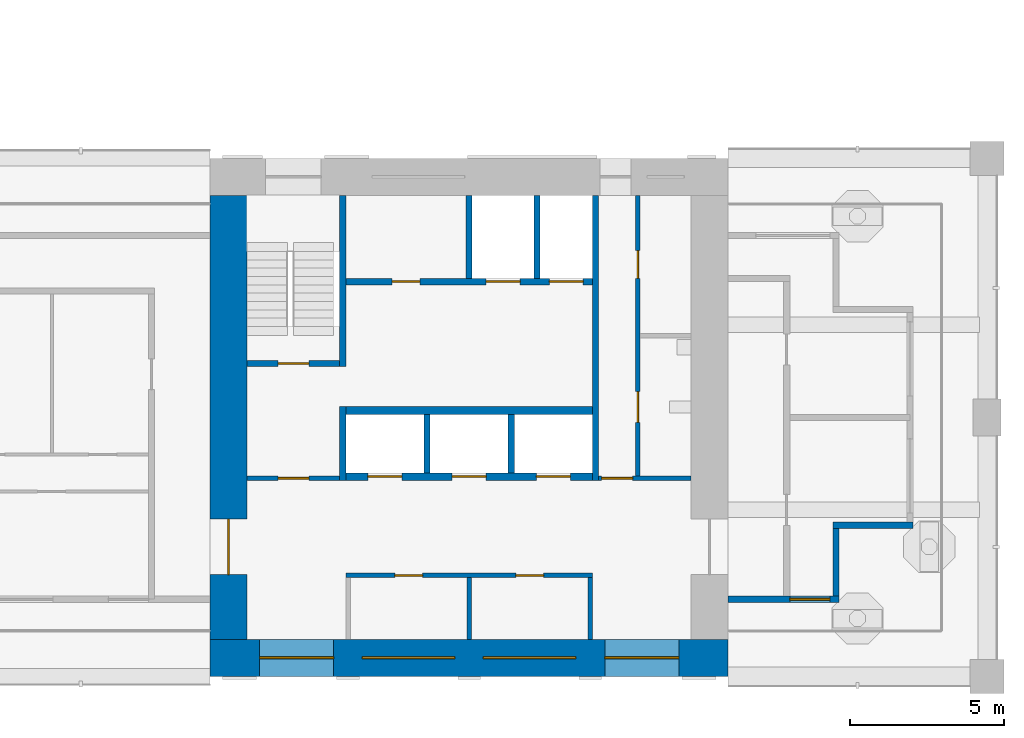
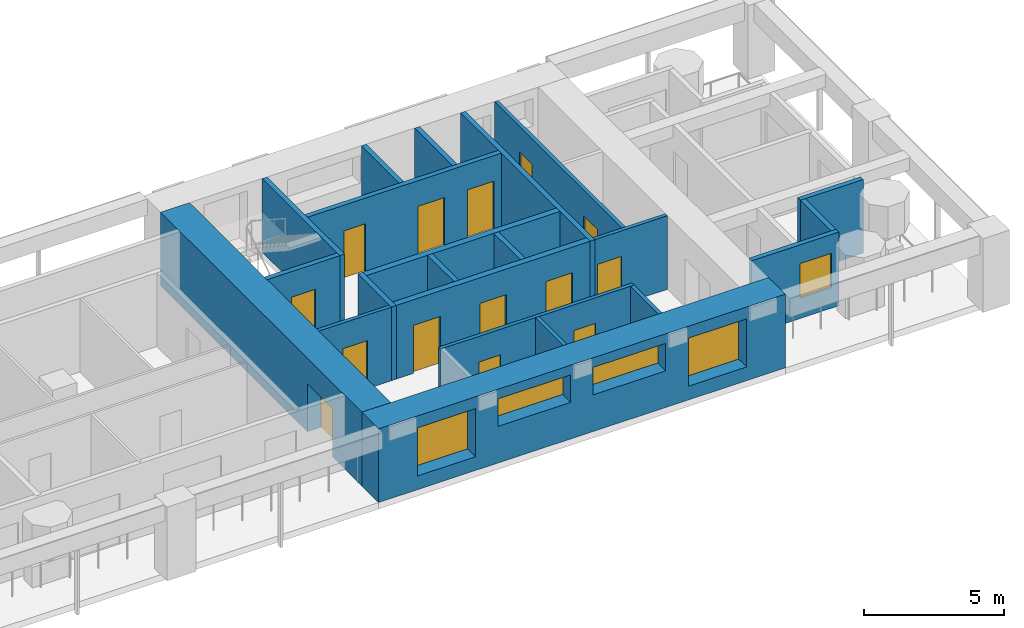
# One storey, part 4 of 13: 22 walls, 14 doors, 5 windows, 19 openings.
"""IFC4 building model written with IfcOpenShell, lengths in metres."""

from ifc_helpers import new_model, si_unit, direction, frame, frame_2d, origin, place, context, subcontext, project, spatial, rectangle, extrude, material, layer, layer_set, type_object, element, fill, save


model = new_model("IFC4")

# Units and contexts
model_context = context("Model", 3, precision=1e-05, world=origin(), true_north=direction((0.0, 1.0)))
body_context = subcontext(model_context, "Body", "Model", "MODEL_VIEW")
ifc_project = project(units=[si_unit("LENGTHUNIT", "METRE"), si_unit("AREAUNIT", "SQUARE_METRE"), si_unit("VOLUMEUNIT", "CUBIC_METRE"), si_unit("PLANEANGLEUNIT", "RADIAN"), si_unit("MASSUNIT", "GRAM", prefix="KILO")], contexts=[model_context])

# Site, building, storey
site_placement = place(None, origin())
site = spatial("IfcSite", under=ifc_project, at=site_placement, CompositionType="ELEMENT")
building_placement = place(site_placement, origin())
building = spatial("IfcBuilding", under=site, at=building_placement, Name="Vermilion Gate Residences", CompositionType="ELEMENT")
storey_placement = place(building_placement, frame((0.0, 0.0, 182.699951171875)))
storey = spatial("IfcBuildingStorey", under=building, at=storey_placement, Name="L47", CompositionType="ELEMENT", Elevation=182.699951171875)

# Walls
ifc_material_1 = material(Name="Masonry blockwork", Category="masonry")
ifc_layer_1 = layer(ifc_material_1, 0.14990234375)
ifc_layer_set_1 = layer_set([ifc_layer_1], Name="BLOCKWORK PARTITION 150 EI 120")
wall_type_1 = type_object("IfcWallType", Name="BLOCKWORK PARTITION 150 EI 120", PredefinedType="PARTITIONING", material=ifc_layer_set_1)
for number, where, z_axis, x_axis, name in (
    (1, (54.324951171875, 9.60009765625, 0.0), (0.0, 0.0, 1.0), (0.0, 1.0, 0.0), "Core room partition A47-RW-E"),
    (2, (50.39990234375, 9.60009765625, 0.0), (0.0, 0.0, 1.0), (0.0, 1.0, 0.0), "Core room partition A47-SR-P0"),
):
    element("IfcWall", number, at=place(storey_placement, frame(where, z_axis=z_axis, x_axis=x_axis)), inside=storey, type_object=wall_type_1, Name=name, PredefinedType="PARTITIONING", context=body_context, shape_type="SweptSolid", body=[
        extrude(rectangle(XDim=2.0, YDim=0.14990234375, at=frame_2d((1.0, 0.0))), origin(), (0.0, 0.0, 1.0), 3.219970703125),
    ])

# Wall, openings, doors
wall_1_placement = place(storey_placement, frame((46.39990234375, 11.675048828125, 0.0), z_axis=(0.0, 0.0, 1.0), x_axis=(1.0, 0.0, 0.0)))
wall_1 = element("IfcWall", 3, at=wall_1_placement, inside=storey, type_object=wall_type_1, Name="Core room partition A47-LR-F", PredefinedType="PARTITIONING", context=body_context, shape_type="SweptSolid", body=[
    extrude(rectangle(XDim=8.0, YDim=0.14990234375, at=frame_2d((4.0, 0.0))), origin(), (0.0, 0.0, 1.0), 3.219970703125),
])
opening_1_placement = place(wall_1_placement, frame((1.58740234375, 0.0, 0.0)))
opening_1 = element("IfcOpeningElement", 4, at=opening_1_placement, cuts=wall_1, Name="Opening DK47003", PredefinedType="OPENING", context=body_context, shape_type="SweptSolid", body=[
    extrude(rectangle(XDim=0.89990234375, YDim=2.10009765625, at=frame_2d((0.449951171875, 1.050048828125))), frame((0.0, 0.0849609375, 0.0), z_axis=(0.0, -1.0, 0.0), x_axis=(1.0, 0.0, 0.0)), (0.0, 0.0, 1.0), 0.169921875),
])
opening_2_placement = place(wall_1_placement, frame((5.512451171875, 0.0, 0.0)))
opening_2 = element("IfcOpeningElement", 5, at=opening_2_placement, cuts=wall_1, Name="Opening DK47004", PredefinedType="OPENING", context=body_context, shape_type="SweptSolid", body=[
    extrude(rectangle(XDim=0.89990234375, YDim=2.10009765625, at=frame_2d((0.449951171875, 1.050048828125))), frame((0.0, 0.0849609375, 0.0), z_axis=(0.0, -1.0, 0.0), x_axis=(1.0, 0.0, 0.0)), (0.0, 0.0, 1.0), 0.169921875),
])
ifc_material_2 = material(Name="Steel", Category="steel")
door_type_1 = type_object("IfcDoorType", Name="SERVICE ROOM DOOR FD60 900 X 2100", OperationType="SINGLE_SWING_LEFT", PredefinedType="DOOR", material=ifc_material_2)
door_1_placement = place(opening_1_placement, frame((0.89990234375, 0.0, 0.0), z_axis=(0.0, 0.0, 1.0), x_axis=(-1.0, 0.0, 0.0)))
door_1 = element("IfcDoor", 6, at=door_1_placement, inside=storey, type_object=door_type_1, Name="Mail room A47", OperationType="SINGLE_SWING_RIGHT", OverallHeight=2.10009765625, OverallWidth=0.89990234375, PredefinedType="DOOR", context=body_context, shape_type="SweptSolid", body=[
    extrude(rectangle(XDim=0.89990234375, YDim=2.10009765625, at=frame_2d((0.449951171875, 1.050048828125))), frame((0.0, 0.02490234375, 0.0), z_axis=(0.0, -1.0, 0.0), x_axis=(1.0, 0.0, 0.0)), (0.0, 0.0, 1.0), 0.050048828125),
])
fill(opening_1, door_1)
door_2_placement = place(opening_2_placement, frame((0.89990234375, 0.0, 0.0), z_axis=(0.0, 0.0, 1.0), x_axis=(-1.0, 0.0, 0.0)))
door_2 = element("IfcDoor", 7, at=door_2_placement, inside=storey, type_object=door_type_1, Name="Cleaner's store A47", OperationType="SINGLE_SWING_RIGHT", OverallHeight=2.10009765625, OverallWidth=0.89990234375, PredefinedType="DOOR", context=body_context, shape_type="SweptSolid", body=[
    extrude(rectangle(XDim=0.89990234375, YDim=2.10009765625, at=frame_2d((0.449951171875, 1.050048828125))), frame((0.0, 0.02490234375, 0.0), z_axis=(0.0, -1.0, 0.0), x_axis=(1.0, 0.0, 0.0)), (0.0, 0.0, 1.0), 0.050048828125),
])
fill(opening_2, door_2)

# Wall, opening, door
wall_2_placement = place(storey_placement, frame((43.199951171875, 14.824951171875, 0.0), z_axis=(0.0, 0.0, 1.0), x_axis=(1.0, 0.0, 0.0)))
wall_2 = element("IfcWall", 8, at=wall_2_placement, inside=storey, type_object=wall_type_1, Name="Core room partition A47-VW-S", PredefinedType="PARTITIONING", context=body_context, shape_type="SweptSolid", body=[
    extrude(rectangle(XDim=3.0, YDim=0.14990234375, at=frame_2d((1.5, 0.0))), origin(), (0.0, 0.0, 1.0), 3.219970703125),
])
opening_3_placement = place(wall_2_placement, frame((1.0, 0.0, 0.0)))
opening_3 = element("IfcOpeningElement", 9, at=opening_3_placement, cuts=wall_2, Name="Opening DK47011", PredefinedType="OPENING", context=body_context, shape_type="SweptSolid", body=[
    extrude(rectangle(XDim=1.0, YDim=2.10009765625, at=frame_2d((0.5, 1.050048828125))), frame((0.0, 0.0849609375, 0.0), z_axis=(0.0, -1.0, 0.0), x_axis=(1.0, 0.0, 0.0)), (0.0, 0.0, 1.0), 0.169921875),
])
ifc_material_3 = material(Name="Steel", Category="steel")
door_type_2 = type_object("IfcDoorType", Name="FIRE DOOR FD60 1000 X 2100", OperationType="SINGLE_SWING_LEFT", PredefinedType="DOOR", material=ifc_material_3)
door_3_placement = place(opening_3_placement, frame((1.0, 0.0, 0.0), z_axis=(0.0, 0.0, 1.0), x_axis=(-1.0, 0.0, 0.0)))
door_3 = element("IfcDoor", 10, at=door_3_placement, inside=storey, type_object=door_type_2, Name="Stair vestibule door A47", OperationType="SINGLE_SWING_RIGHT", OverallHeight=2.10009765625, OverallWidth=1.0, PredefinedType="DOOR", context=body_context, shape_type="SweptSolid", body=[
    extrude(rectangle(XDim=1.0, YDim=2.10009765625, at=frame_2d((0.5, 1.050048828125))), frame((0.0, 0.02490234375, 0.0), z_axis=(0.0, -1.0, 0.0), x_axis=(1.0, 0.0, 0.0)), (0.0, 0.0, 1.0), 0.050048828125),
])
fill(opening_3, door_3)

wall_3_placement = place(storey_placement, frame((54.60009765625, 14.824951171875, 0.0), z_axis=(0.0, 0.0, 1.0), x_axis=(1.0, 0.0, 0.0)))
wall_3 = element("IfcWall", 11, at=wall_3_placement, inside=storey, type_object=wall_type_1, Name="Core room partition A47-ES-S", PredefinedType="PARTITIONING", context=body_context, shape_type="SweptSolid", body=[
    extrude(rectangle(XDim=3.0, YDim=0.14990234375, at=frame_2d((1.5, 0.0))), origin(), (0.0, 0.0, 1.0), 3.219970703125),
])
opening_4_placement = place(wall_3_placement, frame((0.10009765625, 0.0, 0.0)))
opening_4 = element("IfcOpeningElement", 12, at=opening_4_placement, cuts=wall_3, Name="Opening DK47013", PredefinedType="OPENING", context=body_context, shape_type="SweptSolid", body=[
    extrude(rectangle(XDim=1.0, YDim=2.10009765625, at=frame_2d((0.5, 1.050048828125))), frame((0.0, 0.0849609375, 0.0), z_axis=(0.0, -1.0, 0.0), x_axis=(1.0, 0.0, 0.0)), (0.0, 0.0, 1.0), 0.169921875),
])
door_4_placement = place(opening_4_placement, frame((1.0, 0.0, 0.0), z_axis=(0.0, 0.0, 1.0), x_axis=(-1.0, 0.0, 0.0)))
door_4 = element("IfcDoor", 13, at=door_4_placement, inside=storey, type_object=door_type_2, Name="Service corridor door A47", OperationType="SINGLE_SWING_LEFT", OverallHeight=2.10009765625, OverallWidth=1.0, PredefinedType="DOOR", context=body_context, shape_type="SweptSolid", body=[
    extrude(rectangle(XDim=1.0, YDim=2.10009765625, at=frame_2d((0.5, 1.050048828125))), frame((0.0, 0.02490234375, 0.0), z_axis=(0.0, -1.0, 0.0), x_axis=(1.0, 0.0, 0.0)), (0.0, 0.0, 1.0), 0.050048828125),
])
fill(opening_4, door_4)

# Wall, openings, doors
wall_4_placement = place(storey_placement, frame((55.875, 14.89990234375, 0.0), z_axis=(0.0, 0.0, 1.0), x_axis=(0.0, 1.0, 0.0)))
wall_4 = element("IfcWall", 14, at=wall_4_placement, inside=storey, type_object=wall_type_1, Name="Core room partition A47-ES-W", PredefinedType="PARTITIONING", context=body_context, shape_type="SweptSolid", body=[
    extrude(rectangle(XDim=9.10009765625, YDim=0.14990234375, at=frame_2d((4.550048828125, 0.0))), origin(), (0.0, 0.0, 1.0), 3.219970703125),
])
opening_5_placement = place(wall_4_placement, frame((1.737548828125, 0.0, 0.0)))
opening_5 = element("IfcOpeningElement", 15, at=opening_5_placement, cuts=wall_4, Name="Opening DK47014", PredefinedType="OPENING", context=body_context, shape_type="SweptSolid", body=[
    extrude(rectangle(XDim=1.0, YDim=2.10009765625, at=frame_2d((0.5, 1.050048828125))), frame((0.0, 0.0849609375, 0.0), z_axis=(0.0, -1.0, 0.0), x_axis=(1.0, 0.0, 0.0)), (0.0, 0.0, 1.0), 0.169921875),
])
opening_6_placement = place(wall_4_placement, frame((6.41259765625, 0.0, 0.0)))
opening_6 = element("IfcOpeningElement", 16, at=opening_6_placement, cuts=wall_4, Name="Opening DK47015", PredefinedType="OPENING", context=body_context, shape_type="SweptSolid", body=[
    extrude(rectangle(XDim=0.89990234375, YDim=2.10009765625, at=frame_2d((0.449951171875, 1.050048828125))), frame((0.0, 0.0849609375, 0.0), z_axis=(0.0, -1.0, 0.0), x_axis=(1.0, 0.0, 0.0)), (0.0, 0.0, 1.0), 0.169921875),
])
door_5_placement = place(opening_5_placement, frame((1.0, 0.0, 0.0), z_axis=(0.0, 0.0, 1.0), x_axis=(-1.0, 0.0, 0.0)))
door_5 = element("IfcDoor", 17, at=door_5_placement, inside=storey, type_object=door_type_2, Name="Accessible WC A47", OperationType="SINGLE_SWING_RIGHT", OverallHeight=2.10009765625, OverallWidth=1.0, PredefinedType="DOOR", context=body_context, shape_type="SweptSolid", body=[
    extrude(rectangle(XDim=1.0, YDim=2.10009765625, at=frame_2d((0.5, 1.050048828125))), frame((0.0, 0.02490234375, 0.0), z_axis=(0.0, -1.0, 0.0), x_axis=(1.0, 0.0, 0.0)), (0.0, 0.0, 1.0), 0.050048828125),
])
fill(opening_5, door_5)
door_6_placement = place(opening_6_placement, frame((0.89990234375, 0.0, 0.0), z_axis=(0.0, 0.0, 1.0), x_axis=(-1.0, 0.0, 0.0)))
door_6 = element("IfcDoor", 18, at=door_6_placement, inside=storey, type_object=door_type_1, Name="Communications room A47", OperationType="SINGLE_SWING_RIGHT", OverallHeight=2.10009765625, OverallWidth=0.89990234375, PredefinedType="DOOR", context=body_context, shape_type="SweptSolid", body=[
    extrude(rectangle(XDim=0.89990234375, YDim=2.10009765625, at=frame_2d((0.449951171875, 1.050048828125))), frame((0.0, 0.02490234375, 0.0), z_axis=(0.0, -1.0, 0.0), x_axis=(1.0, 0.0, 0.0)), (0.0, 0.0, 1.0), 0.050048828125),
])
fill(opening_6, door_6)

# Wall, opening, window
ifc_material_4 = material(Name="Insulated steel stud wall with terracotta rainscreen", Category="masonry")
ifc_layer_2 = layer(ifc_material_4, 0.199951171875)
ifc_layer_set_2 = layer_set([ifc_layer_2], Name="EXTERNAL WALL 200 TERRACOTTA RAINSCREEN")
wall_type_2 = type_object("IfcWallType", Name="EXTERNAL WALL 200 TERRACOTTA RAINSCREEN", PredefinedType="SOLIDWALL", material=ifc_layer_set_2)
wall_5_placement = place(storey_placement, frame((58.800048828125, 10.89990234375, 0.0), z_axis=(0.0, 0.0, 1.0), x_axis=(1.0, 0.0, 0.0)))
wall_5 = element("IfcWall", 19, at=wall_5_placement, inside=storey, type_object=wall_type_2, Name="External wall", PredefinedType="SOLIDWALL", context=body_context, shape_type="SweptSolid", body=[
    extrude(rectangle(XDim=3.599853515625, YDim=0.199951171875, at=frame_2d((1.7998046875, 0.0))), origin(), (0.0, 0.0, 1.0), 3.219970703125),
])
opening_7_placement = place(wall_5_placement, frame((2.0, 0.0, 0.89990234375)))
opening_7 = element("IfcOpeningElement", 20, at=opening_7_placement, cuts=wall_5, Name="Opening WE47015", PredefinedType="OPENING", context=body_context, shape_type="SweptSolid", body=[
    extrude(rectangle(XDim=1.300048828125, YDim=1.5, at=frame_2d((0.64990234375, 0.75))), frame((0.0, 0.10986328125, 0.0), z_axis=(0.0, -1.0, 0.0), x_axis=(1.0, 0.0, 0.0)), (0.0, 0.0, 1.0), 0.219970703125),
])
ifc_material_5 = material(Name="Aluminium and clear glass", Category="aluminium")
window_type_1 = type_object("IfcWindowType", Name="WINDOW 1300 X 1500", PartitioningType="SINGLE_PANEL", PredefinedType="WINDOW", material=ifc_material_5)
window_1_placement = place(opening_7_placement, origin())
window_1 = element("IfcWindow", 21, at=window_1_placement, inside=storey, type_object=window_type_1, Name="Window", OverallHeight=1.5, OverallWidth=1.300048828125, PartitioningType="SINGLE_PANEL", PredefinedType="WINDOW", context=body_context, shape_type="SweptSolid", body=[
    extrude(rectangle(XDim=1.300048828125, YDim=1.5, at=frame_2d((0.64990234375, 0.75))), frame((0.0, 0.030029296875, 0.0), z_axis=(0.0, -1.0, 0.0), x_axis=(1.0, 0.0, 0.0)), (0.0, 0.0, 1.0), 0.06005859375),
])
fill(opening_7, window_1)

# Walls
wall_6_placement = place(storey_placement, frame((62.300048828125, 11.0, 0.0), z_axis=(0.0, 0.0, 1.0), x_axis=(0.0, 1.0, 0.0)))
element("IfcWall", 22, at=wall_6_placement, inside=storey, type_object=wall_type_2, Name="External wall", PredefinedType="SOLIDWALL", context=body_context, shape_type="SweptSolid", body=[
    extrude(rectangle(XDim=2.199951171875, YDim=0.199951171875, at=frame_2d((1.10009765625, 0.0))), origin(), (0.0, 0.0, 1.0), 3.219970703125),
])
wall_7_placement = place(storey_placement, frame((62.199951171875, 13.300048828125, 0.0), z_axis=(0.0, 0.0, 1.0), x_axis=(1.0, 0.0, 0.0)))
element("IfcWall", 23, at=wall_7_placement, inside=storey, type_object=wall_type_2, Name="External wall", PredefinedType="SOLIDWALL", context=body_context, shape_type="SweptSolid", body=[
    extrude(rectangle(XDim=2.60009765625, YDim=0.199951171875, at=frame_2d((1.300048828125, 0.0))), origin(), (0.0, 0.0, 1.0), 3.219970703125),
])
ifc_material_6 = material(Name="Concrete C60", Category="concrete")
ifc_layer_3 = layer(ifc_material_6, 0.199951171875)
ifc_layer_set_3 = layer_set([ifc_layer_3], Name="RC CORE INTERNAL WALL 200 C60")
wall_type_3 = type_object("IfcWallType", Name="RC CORE INTERNAL WALL 200 C60", PredefinedType="SHEAR", material=ifc_layer_set_3)
for number, where, z_axis, x_axis, name in (
    (24, (49.033447265625, 15.0, 0.0), (0.0, 0.0, 1.0), (0.0, 1.0, 0.0), "Core internal wall A47-HR-D1"),
    (25, (51.7666015625, 15.0, 0.0), (0.0, 0.0, 1.0), (0.0, 1.0, 0.0), "Core internal wall A47-HR-D2"),
):
    element("IfcWall", number, at=place(storey_placement, frame(where, z_axis=z_axis, x_axis=x_axis)), inside=storey, type_object=wall_type_3, Name=name, PredefinedType="SHEAR", context=body_context, shape_type="SweptSolid", body=[
        extrude(rectangle(XDim=1.89990234375, YDim=0.199951171875, at=frame_2d((0.949951171875, 0.0))), origin(), (0.0, 0.0, 1.0), 3.219970703125),
    ])
for number, where, z_axis, x_axis, name in (
    (26, (50.39990234375, 21.300048828125, 0.0), (0.0, 0.0, 1.0), (0.0, 1.0, 0.0), "Core internal wall A47-FF-D0"),
    (27, (52.60009765625, 21.300048828125, 0.0), (0.0, 0.0, 1.0), (0.0, 1.0, 0.0), "Core internal wall A47-FF-D1"),
):
    element("IfcWall", number, at=place(storey_placement, frame(where, z_axis=z_axis, x_axis=x_axis)), inside=storey, type_object=wall_type_3, Name=name, PredefinedType="SHEAR", context=body_context, shape_type="SweptSolid", body=[
        extrude(rectangle(XDim=2.699951171875, YDim=0.199951171875, at=frame_2d((1.35009765625, 0.0))), origin(), (0.0, 0.0, 1.0), 3.219970703125),
    ])

# Wall, openings, doors
wall_8_placement = place(storey_placement, frame((46.39990234375, 21.199951171875, 0.0), z_axis=(0.0, 0.0, 1.0), x_axis=(1.0, 0.0, 0.0)))
wall_8 = element("IfcWall", 28, at=wall_8_placement, inside=storey, type_object=wall_type_3, Name="Core internal wall A47-FF-F", PredefinedType="SHEAR", context=body_context, shape_type="SweptSolid", body=[
    extrude(rectangle(XDim=8.0, YDim=0.199951171875, at=frame_2d((4.0, 0.0))), origin(), (0.0, 0.0, 1.0), 3.219970703125),
])
opening_8_placement = place(wall_8_placement, frame((1.5, 0.0, 0.0)))
opening_8 = element("IfcOpeningElement", 29, at=opening_8_placement, cuts=wall_8, Name="Opening DK47008", PredefinedType="OPENING", context=body_context, shape_type="SweptSolid", body=[
    extrude(rectangle(XDim=0.89990234375, YDim=2.10009765625, at=frame_2d((0.449951171875, 1.050048828125))), frame((0.0, 0.10986328125, 0.0), z_axis=(0.0, -1.0, 0.0), x_axis=(1.0, 0.0, 0.0)), (0.0, 0.0, 1.0), 0.219970703125),
])
opening_9_placement = place(wall_8_placement, frame((4.550048828125, 0.0, 0.0)))
opening_9 = element("IfcOpeningElement", 30, at=opening_9_placement, cuts=wall_8, Name="Opening LD", PredefinedType="OPENING", context=body_context, shape_type="SweptSolid", body=[
    extrude(rectangle(XDim=1.10009765625, YDim=2.10009765625, at=frame_2d((0.550048828125, 1.050048828125))), frame((0.0, 0.10986328125, 0.0), z_axis=(0.0, -1.0, 0.0), x_axis=(1.0, 0.0, 0.0)), (0.0, 0.0, 1.0), 0.219970703125),
])
opening_10_placement = place(wall_8_placement, frame((6.60009765625, 0.0, 0.0)))
opening_10 = element("IfcOpeningElement", 31, at=opening_10_placement, cuts=wall_8, Name="Opening LD", PredefinedType="OPENING", context=body_context, shape_type="SweptSolid", body=[
    extrude(rectangle(XDim=1.10009765625, YDim=2.10009765625, at=frame_2d((0.550048828125, 1.050048828125))), frame((0.0, 0.10986328125, 0.0), z_axis=(0.0, -1.0, 0.0), x_axis=(1.0, 0.0, 0.0)), (0.0, 0.0, 1.0), 0.219970703125),
])
ifc_material_7 = material(Name="Stainless steel", Category="steel")
door_type_3 = type_object("IfcDoorType", Name="LIFT LANDING DOOR E60 1100 X 2100", OperationType="DOUBLE_DOOR_SLIDING", PredefinedType="DOOR", material=ifc_material_7)
door_7_placement = place(opening_9_placement, origin())
door_7 = element("IfcDoor", 32, at=door_7_placement, inside=storey, type_object=door_type_3, Name="Lift landing door LFA1", OperationType="DOUBLE_DOOR_SLIDING", OverallHeight=2.10009765625, OverallWidth=1.10009765625, PredefinedType="DOOR", context=body_context, shape_type="SweptSolid", body=[
    extrude(rectangle(XDim=1.10009765625, YDim=2.10009765625, at=frame_2d((0.550048828125, 1.050048828125))), frame((0.0, 0.02490234375, 0.0), z_axis=(0.0, -1.0, 0.0), x_axis=(1.0, 0.0, 0.0)), (0.0, 0.0, 1.0), 0.050048828125),
])
fill(opening_9, door_7)
door_8_placement = place(opening_10_placement, origin())
door_8 = element("IfcDoor", 33, at=door_8_placement, inside=storey, type_object=door_type_3, Name="Lift landing door LCA1", OperationType="DOUBLE_DOOR_SLIDING", OverallHeight=2.10009765625, OverallWidth=1.10009765625, PredefinedType="DOOR", context=body_context, shape_type="SweptSolid", body=[
    extrude(rectangle(XDim=1.10009765625, YDim=2.10009765625, at=frame_2d((0.550048828125, 1.050048828125))), frame((0.0, 0.02490234375, 0.0), z_axis=(0.0, -1.0, 0.0), x_axis=(1.0, 0.0, 0.0)), (0.0, 0.0, 1.0), 0.050048828125),
])
fill(opening_10, door_8)
door_9_placement = place(opening_8_placement, origin())
door_9 = element("IfcDoor", 34, at=door_9_placement, inside=storey, type_object=door_type_1, Name="Housekeeping store A47", OperationType="SINGLE_SWING_LEFT", OverallHeight=2.10009765625, OverallWidth=0.89990234375, PredefinedType="DOOR", context=body_context, shape_type="SweptSolid", body=[
    extrude(rectangle(XDim=0.89990234375, YDim=2.10009765625, at=frame_2d((0.449951171875, 1.050048828125))), frame((0.0, 0.02490234375, 0.0), z_axis=(0.0, -1.0, 0.0), x_axis=(1.0, 0.0, 0.0)), (0.0, 0.0, 1.0), 0.050048828125),
])
fill(opening_8, door_9)

# Walls
wall_9_placement = place(storey_placement, frame((46.300048828125, 14.75, 0.0), z_axis=(0.0, 0.0, 1.0), x_axis=(0.0, 1.0, 0.0)))
element("IfcWall", 35, at=wall_9_placement, inside=storey, type_object=wall_type_3, Name="Core internal wall A47-WDIV1", PredefinedType="SHEAR", context=body_context, shape_type="SweptSolid", body=[
    extrude(rectangle(XDim=2.39990234375, YDim=0.199951171875, at=frame_2d((1.199951171875, 0.0))), origin(), (0.0, 0.0, 1.0), 3.219970703125),
])
wall_10_placement = place(storey_placement, frame((46.300048828125, 18.449951171875, 0.0), z_axis=(0.0, 0.0, 1.0), x_axis=(0.0, 1.0, 0.0)))
element("IfcWall", 36, at=wall_10_placement, inside=storey, type_object=wall_type_3, Name="Core internal wall A47-WDIV2", PredefinedType="SHEAR", context=body_context, shape_type="SweptSolid", body=[
    extrude(rectangle(XDim=5.550048828125, YDim=0.199951171875, at=frame_2d((2.77490234375, 0.0))), origin(), (0.0, 0.0, 1.0), 3.219970703125),
])

# Wall, opening, door
wall_11_placement = place(storey_placement, frame((43.199951171875, 18.550048828125, 0.0), z_axis=(0.0, 0.0, 1.0), x_axis=(1.0, 0.0, 0.0)))
wall_11 = element("IfcWall", 37, at=wall_11_placement, inside=storey, type_object=wall_type_3, Name="Core internal wall A47-STW-S", PredefinedType="SHEAR", context=body_context, shape_type="SweptSolid", body=[
    extrude(rectangle(XDim=3.0, YDim=0.199951171875, at=frame_2d((1.5, 0.0))), origin(), (0.0, 0.0, 1.0), 3.219970703125),
])
opening_11_placement = place(wall_11_placement, frame((1.0, 0.0, 0.0)))
opening_11 = element("IfcOpeningElement", 38, at=opening_11_placement, cuts=wall_11, Name="Opening DK47012", PredefinedType="OPENING", context=body_context, shape_type="SweptSolid", body=[
    extrude(rectangle(XDim=1.0, YDim=2.10009765625, at=frame_2d((0.5, 1.050048828125))), frame((0.0, 0.10986328125, 0.0), z_axis=(0.0, -1.0, 0.0), x_axis=(1.0, 0.0, 0.0)), (0.0, 0.0, 1.0), 0.219970703125),
])
door_10_placement = place(opening_11_placement, origin())
door_10 = element("IfcDoor", 39, at=door_10_placement, inside=storey, type_object=door_type_2, Name="Stair door A47", OperationType="SINGLE_SWING_LEFT", OverallHeight=2.10009765625, OverallWidth=1.0, PredefinedType="DOOR", context=body_context, shape_type="SweptSolid", body=[
    extrude(rectangle(XDim=1.0, YDim=2.10009765625, at=frame_2d((0.5, 1.050048828125))), frame((0.0, 0.02490234375, 0.0), z_axis=(0.0, -1.0, 0.0), x_axis=(1.0, 0.0, 0.0)), (0.0, 0.0, 1.0), 0.050048828125),
])
fill(opening_11, door_10)

# Wall
wall_12_placement = place(storey_placement, frame((54.5, 14.75, 0.0), z_axis=(0.0, 0.0, 1.0), x_axis=(0.0, 1.0, 0.0)))
element("IfcWall", 40, at=wall_12_placement, inside=storey, type_object=wall_type_3, Name="Core internal wall A47-EDIV", PredefinedType="SHEAR", context=body_context, shape_type="SweptSolid", body=[
    extrude(rectangle(XDim=9.25, YDim=0.199951171875, at=frame_2d((4.625, 0.0))), origin(), (0.0, 0.0, 1.0), 3.219970703125),
])

# Wall, opening, door
ifc_material_8 = material(Name="Concrete C60", Category="concrete")
ifc_layer_4 = layer(ifc_material_8, 1.199951171875)
ifc_layer_set_4 = layer_set([ifc_layer_4], Name="RC CORE WALL 1200 C60")
wall_type_4 = type_object("IfcWallType", Name="RC CORE WALL 1200 C60", PredefinedType="SHEAR", material=ifc_layer_set_4)
wall_13_placement = place(storey_placement, frame((42.60009765625, 9.60009765625, 0.0), z_axis=(0.0, 0.0, 1.0), x_axis=(0.0, 1.0, 0.0)))
wall_13 = element("IfcWall", 41, at=wall_13_placement, inside=storey, type_object=wall_type_4, Name="Core wall A47-OUT-FR", PredefinedType="SHEAR", context=body_context, shape_type="SweptSolid", body=[
    extrude(rectangle(XDim=14.39990234375, YDim=1.199951171875, at=frame_2d((7.199951171875, 0.0))), origin(), (0.0, 0.0, 1.0), 3.219970703125),
])
opening_12_placement = place(wall_13_placement, frame((2.10009765625, 0.0, 0.0)))
opening_12 = element("IfcOpeningElement", 42, at=opening_12_placement, cuts=wall_13, Name="Opening DK47001", PredefinedType="OPENING", context=body_context, shape_type="SweptSolid", body=[
    extrude(rectangle(XDim=1.800048828125, YDim=2.10009765625, at=frame_2d((0.89990234375, 1.050048828125))), frame((0.0, 0.60986328125, 0.0), z_axis=(0.0, -1.0, 0.0), x_axis=(1.0, 0.0, 0.0)), (0.0, 0.0, 1.0), 1.219970703125),
])
ifc_material_9 = material(Name="Steel", Category="steel")
door_type_4 = type_object("IfcDoorType", Name="CORE LOBBY DOOR FD60 1800 X 2100", OperationType="DOUBLE_DOOR_SINGLE_SWING", PredefinedType="DOOR", material=ifc_material_9)
door_11_placement = place(opening_12_placement, frame((1.800048828125, 0.0, 0.0), z_axis=(0.0, 0.0, 1.0), x_axis=(-1.0, 0.0, 0.0)))
door_11 = element("IfcDoor", 43, at=door_11_placement, inside=storey, type_object=door_type_4, Name="Core lobby door A47", OperationType="DOUBLE_DOOR_SINGLE_SWING", OverallHeight=2.10009765625, OverallWidth=1.800048828125, PredefinedType="DOOR", context=body_context, shape_type="SweptSolid", body=[
    extrude(rectangle(XDim=1.800048828125, YDim=2.10009765625, at=frame_2d((0.89990234375, 1.050048828125))), frame((0.0, 0.02490234375, 0.0), z_axis=(0.0, -1.0, 0.0), x_axis=(1.0, 0.0, 0.0)), (0.0, 0.0, 1.0), 0.050048828125),
])
fill(opening_12, door_11)

# Wall, openings, windows
ifc_material_10 = material(Name="Concrete C60 red-oxide pigmented", Category="concrete")
ifc_layer_5 = layer(ifc_material_10, 1.199951171875)
ifc_layer_set_5 = layer_set([ifc_layer_5], Name="RC CORE WALL 1200 C60 RED OXIDE")
wall_type_5 = type_object("IfcWallType", Name="RC CORE WALL 1200 C60 RED OXIDE", PredefinedType="SHEAR", material=ifc_layer_set_5)
wall_14_placement = place(storey_placement, frame((42.0, 9.0, 0.0), z_axis=(0.0, 0.0, 1.0), x_axis=(1.0, 0.0, 0.0)))
wall_14 = element("IfcWall", 44, at=wall_14_placement, inside=storey, type_object=wall_type_5, Name="Core wall A47-OUT-B0", PredefinedType="SHEAR", context=body_context, shape_type="SweptSolid", body=[
    extrude(rectangle(XDim=16.800048828125, YDim=1.199951171875, at=frame_2d((8.39990234375, 0.0))), origin(), (0.0, 0.0, 1.0), 3.219970703125),
])
opening_13_placement = place(wall_14_placement, frame((1.60009765625, 0.0, 0.60009765625)))
opening_13 = element("IfcOpeningElement", 45, at=opening_13_placement, cuts=wall_14, Name="Opening WKA4701", PredefinedType="OPENING", context=body_context, shape_type="SweptSolid", body=[
    extrude(rectangle(XDim=2.39990234375, YDim=2.10009765625, at=frame_2d((1.199951171875, 1.050048828125))), frame((0.0, 0.60986328125, 0.0), z_axis=(0.0, -1.0, 0.0), x_axis=(1.0, 0.0, 0.0)), (0.0, 0.0, 1.0), 1.219970703125),
])
opening_14_placement = place(wall_14_placement, frame((4.9375, 0.0, 1.60009765625)))
opening_14 = element("IfcOpeningElement", 46, at=opening_14_placement, cuts=wall_14, Name="Opening WKA4702", PredefinedType="OPENING", context=body_context, shape_type="SweptSolid", body=[
    extrude(rectangle(XDim=3.0, YDim=1.199951171875, at=frame_2d((1.5, 0.60009765625))), frame((0.0, 0.60986328125, 0.0), z_axis=(0.0, -1.0, 0.0), x_axis=(1.0, 0.0, 0.0)), (0.0, 0.0, 1.0), 1.219970703125),
])
opening_15_placement = place(wall_14_placement, frame((8.862548828125, 0.0, 1.60009765625)))
opening_15 = element("IfcOpeningElement", 47, at=opening_15_placement, cuts=wall_14, Name="Opening WKA4703", PredefinedType="OPENING", context=body_context, shape_type="SweptSolid", body=[
    extrude(rectangle(XDim=3.0, YDim=1.199951171875, at=frame_2d((1.5, 0.60009765625))), frame((0.0, 0.60986328125, 0.0), z_axis=(0.0, -1.0, 0.0), x_axis=(1.0, 0.0, 0.0)), (0.0, 0.0, 1.0), 1.219970703125),
])
opening_16_placement = place(wall_14_placement, frame((12.800048828125, 0.0, 0.60009765625)))
opening_16 = element("IfcOpeningElement", 48, at=opening_16_placement, cuts=wall_14, Name="Opening WKA4704", PredefinedType="OPENING", context=body_context, shape_type="SweptSolid", body=[
    extrude(rectangle(XDim=2.39990234375, YDim=2.10009765625, at=frame_2d((1.199951171875, 1.050048828125))), frame((0.0, 0.60986328125, 0.0), z_axis=(0.0, -1.0, 0.0), x_axis=(1.0, 0.0, 0.0)), (0.0, 0.0, 1.0), 1.219970703125),
])
ifc_material_11 = material(Name="Aluminium and clear glass", Category="aluminium")
window_type_2 = type_object("IfcWindowType", Name="CORE LOBBY WINDOW 2400 X 2100", PartitioningType="SINGLE_PANEL", PredefinedType="WINDOW", material=ifc_material_11)
window_2_placement = place(opening_13_placement, origin())
window_2 = element("IfcWindow", 49, at=window_2_placement, inside=storey, type_object=window_type_2, Name="Core lobby window", OverallHeight=2.10009765625, OverallWidth=2.39990234375, PartitioningType="SINGLE_PANEL", PredefinedType="WINDOW", context=body_context, shape_type="SweptSolid", body=[
    extrude(rectangle(XDim=2.39990234375, YDim=2.10009765625, at=frame_2d((1.199951171875, 1.050048828125))), frame((0.0, 0.030029296875, 0.0), z_axis=(0.0, -1.0, 0.0), x_axis=(1.0, 0.0, 0.0)), (0.0, 0.0, 1.0), 0.06005859375),
])
fill(opening_13, window_2)
window_3_placement = place(opening_16_placement, origin())
window_3 = element("IfcWindow", 50, at=window_3_placement, inside=storey, type_object=window_type_2, Name="Core lobby window", OverallHeight=2.10009765625, OverallWidth=2.39990234375, PartitioningType="SINGLE_PANEL", PredefinedType="WINDOW", context=body_context, shape_type="SweptSolid", body=[
    extrude(rectangle(XDim=2.39990234375, YDim=2.10009765625, at=frame_2d((1.199951171875, 1.050048828125))), frame((0.0, 0.030029296875, 0.0), z_axis=(0.0, -1.0, 0.0), x_axis=(1.0, 0.0, 0.0)), (0.0, 0.0, 1.0), 0.06005859375),
])
fill(opening_16, window_3)
ifc_material_12 = material(Name="Aluminium frame with louvre blades", Category="aluminium")
window_type_3 = type_object("IfcWindowType", Name="CORE LOUVRE 3000 X 1200", PartitioningType="SINGLE_PANEL", PredefinedType="WINDOW", material=ifc_material_12)
window_4_placement = place(opening_14_placement, origin())
window_4 = element("IfcWindow", 51, at=window_4_placement, inside=storey, type_object=window_type_3, Name="Core louvre", OverallHeight=1.199951171875, OverallWidth=3.0, PartitioningType="SINGLE_PANEL", PredefinedType="WINDOW", context=body_context, shape_type="SweptSolid", body=[
    extrude(rectangle(XDim=3.0, YDim=1.199951171875, at=frame_2d((1.5, 0.60009765625))), frame((0.0, 0.030029296875, 0.0), z_axis=(0.0, -1.0, 0.0), x_axis=(1.0, 0.0, 0.0)), (0.0, 0.0, 1.0), 0.06005859375),
])
fill(opening_14, window_4)
window_5_placement = place(opening_15_placement, origin())
window_5 = element("IfcWindow", 52, at=window_5_placement, inside=storey, type_object=window_type_3, Name="Core louvre", OverallHeight=1.199951171875, OverallWidth=3.0, PartitioningType="SINGLE_PANEL", PredefinedType="WINDOW", context=body_context, shape_type="SweptSolid", body=[
    extrude(rectangle(XDim=3.0, YDim=1.199951171875, at=frame_2d((1.5, 0.60009765625))), frame((0.0, 0.030029296875, 0.0), z_axis=(0.0, -1.0, 0.0), x_axis=(1.0, 0.0, 0.0)), (0.0, 0.0, 1.0), 0.06005859375),
])
fill(opening_15, window_5)

# Wall, openings, doors
ifc_material_13 = material(Name="Concrete C60", Category="concrete")
ifc_layer_6 = layer(ifc_material_13, 0.25)
ifc_layer_set_6 = layer_set([ifc_layer_6], Name="RC LIFT SHAFT WALL 250 C60")
wall_type_6 = type_object("IfcWallType", Name="RC LIFT SHAFT WALL 250 C60", PredefinedType="SHEAR", material=ifc_layer_set_6)
wall_15_placement = place(storey_placement, frame((46.39990234375, 14.875, 0.0), z_axis=(0.0, 0.0, 1.0), x_axis=(1.0, 0.0, 0.0)))
wall_15 = element("IfcWall", 53, at=wall_15_placement, inside=storey, type_object=wall_type_6, Name="Lift shaft wall A47-HR-F", PredefinedType="SHEAR", context=body_context, shape_type="SweptSolid", body=[
    extrude(rectangle(XDim=8.0, YDim=0.25, at=frame_2d((4.0, 0.0))), origin(), (0.0, 0.0, 1.0), 3.219970703125),
])
opening_17_placement = place(wall_15_placement, frame((0.716552734375, 0.0, 0.0)))
opening_17 = element("IfcOpeningElement", 54, at=opening_17_placement, cuts=wall_15, Name="Opening LD", PredefinedType="OPENING", context=body_context, shape_type="SweptSolid", body=[
    extrude(rectangle(XDim=1.10009765625, YDim=2.10009765625, at=frame_2d((0.550048828125, 1.050048828125))), frame((0.0, 0.135009765625, 0.0), z_axis=(0.0, -1.0, 0.0), x_axis=(1.0, 0.0, 0.0)), (0.0, 0.0, 1.0), 0.27001953125),
])
opening_18_placement = place(wall_15_placement, frame((3.449951171875, 0.0, 0.0)))
opening_18 = element("IfcOpeningElement", 55, at=opening_18_placement, cuts=wall_15, Name="Opening LD", PredefinedType="OPENING", context=body_context, shape_type="SweptSolid", body=[
    extrude(rectangle(XDim=1.10009765625, YDim=2.10009765625, at=frame_2d((0.550048828125, 1.050048828125))), frame((0.0, 0.135009765625, 0.0), z_axis=(0.0, -1.0, 0.0), x_axis=(1.0, 0.0, 0.0)), (0.0, 0.0, 1.0), 0.27001953125),
])
opening_19_placement = place(wall_15_placement, frame((6.183349609375, 0.0, 0.0)))
opening_19 = element("IfcOpeningElement", 56, at=opening_19_placement, cuts=wall_15, Name="Opening LD", PredefinedType="OPENING", context=body_context, shape_type="SweptSolid", body=[
    extrude(rectangle(XDim=1.10009765625, YDim=2.10009765625, at=frame_2d((0.550048828125, 1.050048828125))), frame((0.0, 0.135009765625, 0.0), z_axis=(0.0, -1.0, 0.0), x_axis=(1.0, 0.0, 0.0)), (0.0, 0.0, 1.0), 0.27001953125),
])
door_12_placement = place(opening_17_placement, origin())
door_12 = element("IfcDoor", 57, at=door_12_placement, inside=storey, type_object=door_type_3, Name="Lift landing door HRA1", OperationType="DOUBLE_DOOR_SLIDING", OverallHeight=2.10009765625, OverallWidth=1.10009765625, PredefinedType="DOOR", context=body_context, shape_type="SweptSolid", body=[
    extrude(rectangle(XDim=1.10009765625, YDim=2.10009765625, at=frame_2d((0.550048828125, 1.050048828125))), frame((0.0, 0.02490234375, 0.0), z_axis=(0.0, -1.0, 0.0), x_axis=(1.0, 0.0, 0.0)), (0.0, 0.0, 1.0), 0.050048828125),
])
fill(opening_17, door_12)
door_13_placement = place(opening_18_placement, origin())
door_13 = element("IfcDoor", 58, at=door_13_placement, inside=storey, type_object=door_type_3, Name="Lift landing door HRA2", OperationType="DOUBLE_DOOR_SLIDING", OverallHeight=2.10009765625, OverallWidth=1.10009765625, PredefinedType="DOOR", context=body_context, shape_type="SweptSolid", body=[
    extrude(rectangle(XDim=1.10009765625, YDim=2.10009765625, at=frame_2d((0.550048828125, 1.050048828125))), frame((0.0, 0.02490234375, 0.0), z_axis=(0.0, -1.0, 0.0), x_axis=(1.0, 0.0, 0.0)), (0.0, 0.0, 1.0), 0.050048828125),
])
fill(opening_18, door_13)
door_14_placement = place(opening_19_placement, origin())
door_14 = element("IfcDoor", 59, at=door_14_placement, inside=storey, type_object=door_type_3, Name="Lift landing door HRA3", OperationType="DOUBLE_DOOR_SLIDING", OverallHeight=2.10009765625, OverallWidth=1.10009765625, PredefinedType="DOOR", context=body_context, shape_type="SweptSolid", body=[
    extrude(rectangle(XDim=1.10009765625, YDim=2.10009765625, at=frame_2d((0.550048828125, 1.050048828125))), frame((0.0, 0.02490234375, 0.0), z_axis=(0.0, -1.0, 0.0), x_axis=(1.0, 0.0, 0.0)), (0.0, 0.0, 1.0), 0.050048828125),
])
fill(opening_19, door_14)

# Wall
wall_16_placement = place(storey_placement, frame((46.39990234375, 17.02490234375, 0.0), z_axis=(0.0, 0.0, 1.0), x_axis=(1.0, 0.0, 0.0)))
element("IfcWall", 60, at=wall_16_placement, inside=storey, type_object=wall_type_6, Name="Lift shaft wall A47-HR-B", PredefinedType="SHEAR", context=body_context, shape_type="SweptSolid", body=[
    extrude(rectangle(XDim=8.0, YDim=0.25, at=frame_2d((4.0, 0.0))), origin(), (0.0, 0.0, 1.0), 3.219970703125),
])

save(model, "model.ifc")
